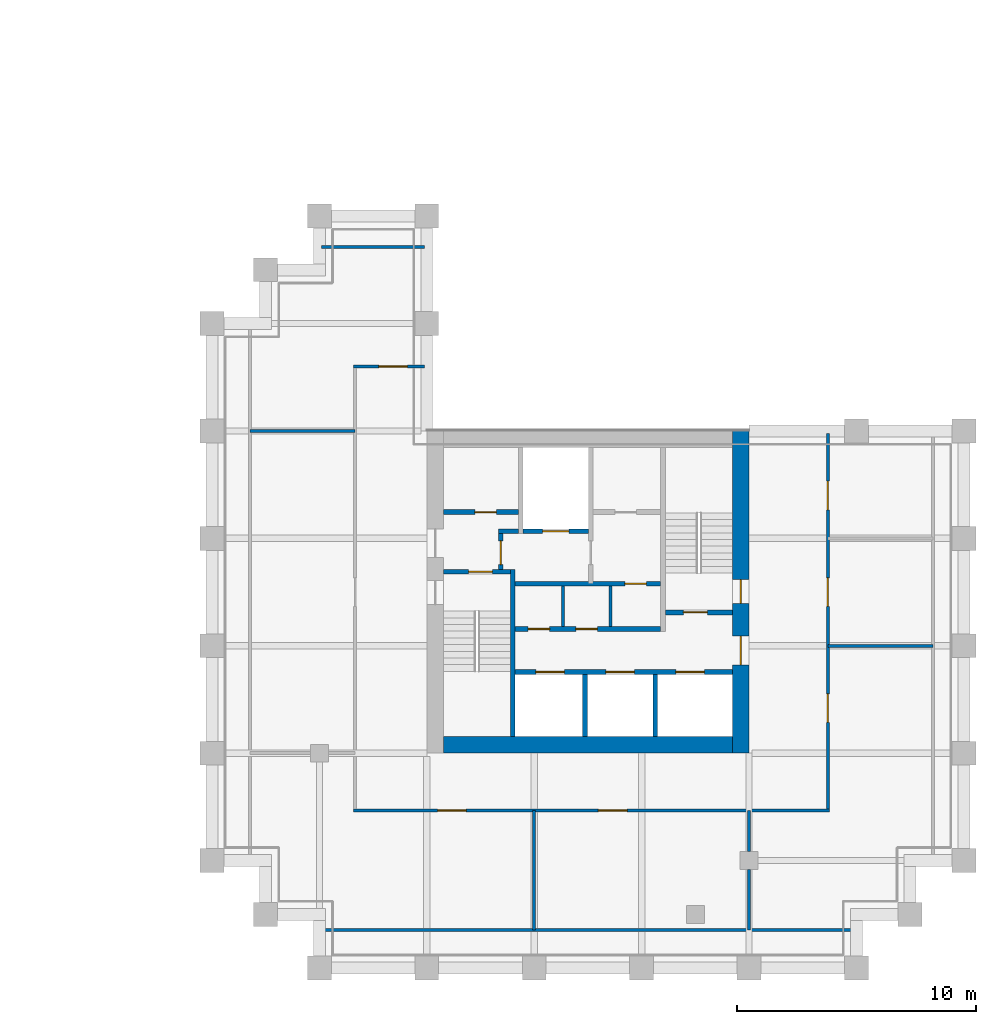
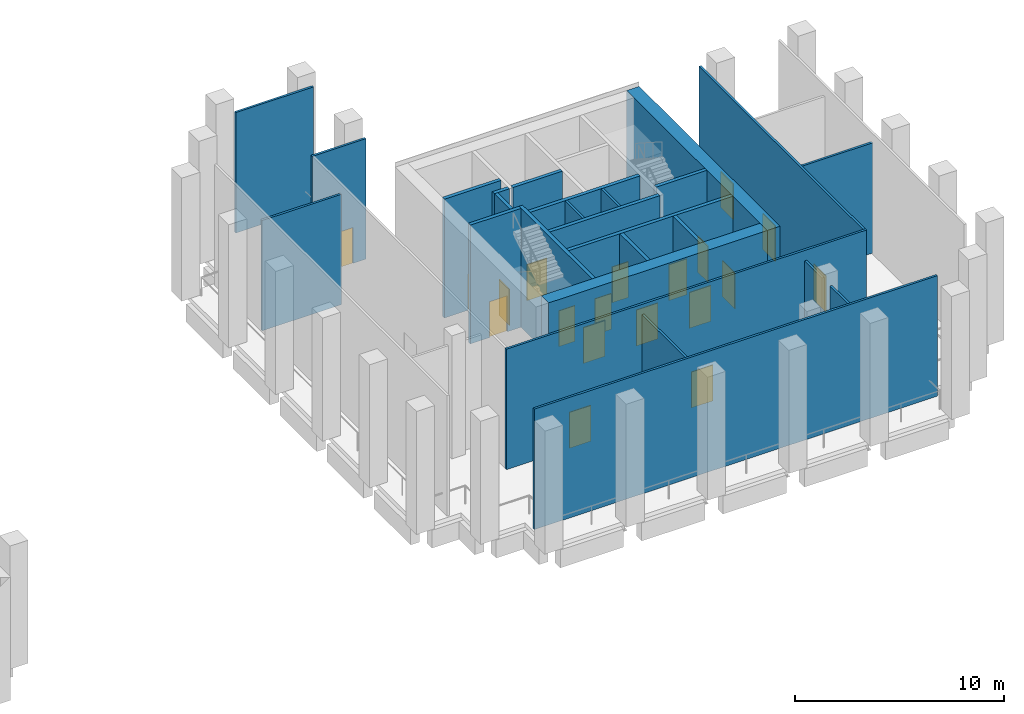
# One storey, part 5 of 9: 26 walls, 19 doors, 19 openings.
"""IFC4 building model written with IfcOpenShell, lengths in metres."""

from ifc_helpers import new_model, si_unit, direction, frame, frame_2d, origin, place, context, subcontext, project, spatial, rectangle, extrude, material, layer, layer_set, type_object, element, fill, save


model = new_model("IFC4")

# Units and contexts
model_context = context("Model", 3, precision=1e-05, world=origin(), true_north=direction((0.0, 1.0)))
body_context = subcontext(model_context, "Body", "Model", "MODEL_VIEW")
ifc_project = project(units=[si_unit("LENGTHUNIT", "METRE"), si_unit("AREAUNIT", "SQUARE_METRE"), si_unit("VOLUMEUNIT", "CUBIC_METRE"), si_unit("PLANEANGLEUNIT", "RADIAN"), si_unit("MASSUNIT", "GRAM", prefix="KILO")], contexts=[model_context])

# Site, building, storey
site_placement = place(None, origin())
site = spatial("IfcSite", under=ifc_project, at=site_placement, CompositionType="ELEMENT")
building_placement = place(site_placement, origin())
building = spatial("IfcBuilding", under=site, at=building_placement, Name="Altepetl Exchange Towers", CompositionType="ELEMENT")
storey_placement = place(building_placement, frame((0.0, 0.0, 113.60009765625)))
storey = spatial("IfcBuildingStorey", under=building, at=storey_placement, Name="L28 Wind floor plant", CompositionType="ELEMENT", Elevation=113.60009765625)

# Wall, openings, doors
ifc_material_1 = material(Name="Concrete C70/85", Category="concrete")
ifc_layer_1 = layer(ifc_material_1, 0.699951171875)
ifc_layer_set_1 = layer_set([ifc_layer_1], Name="Concrete C70/85")
wall_type_1 = type_object("IfcWallType", Name="Core wall 700 reinforced concrete", PredefinedType="SHEAR", material=ifc_layer_set_1)
wall_1_placement = place(storey_placement, frame((116.64990234375, 36.0, 0.0), z_axis=(0.0, 0.0, 1.0), x_axis=(0.0, 1.0, 0.0)))
wall_1 = element("IfcWall", 1, at=wall_1_placement, inside=storey, type_object=wall_type_1, Name="wall:B:L28:K-coreE", PredefinedType="SHEAR", context=body_context, shape_type="SweptSolid", body=[
    extrude(rectangle(XDim=13.5, YDim=0.699951171875, at=frame_2d((6.75, 0.0))), origin(), (0.0, 0.0, 1.0), 6.949951171875),
])
opening_1_placement = place(wall_1_placement, frame((3.699951171875, 0.0, 0.0)))
opening_1 = element("IfcOpeningElement", 2, at=opening_1_placement, cuts=wall_1, Name="Opening L28.B61", PredefinedType="OPENING", context=body_context, shape_type="SweptSolid", body=[
    extrude(rectangle(XDim=1.199951171875, YDim=2.10009765625, at=frame_2d((0.60009765625, 1.050048828125))), frame((0.0, 0.35986328125, 0.0), z_axis=(0.0, -1.0, 0.0), x_axis=(1.0, 0.0, 0.0)), (0.0, 0.0, 1.0), 0.719970703125),
])
opening_2_placement = place(wall_1_placement, frame((6.27490234375, 0.0, 0.0)))
opening_2 = element("IfcOpeningElement", 3, at=opening_2_placement, cuts=wall_1, Name="Opening L28.B65", PredefinedType="OPENING", context=body_context, shape_type="SweptSolid", body=[
    extrude(rectangle(XDim=1.0, YDim=2.10009765625, at=frame_2d((0.5, 1.050048828125))), frame((0.0, 0.35986328125, 0.0), z_axis=(0.0, -1.0, 0.0), x_axis=(1.0, 0.0, 0.0)), (0.0, 0.0, 1.0), 0.719970703125),
])
ifc_material_2 = material(Name="Steel and timber fire door", Category="steel")
door_type_1 = type_object("IfcDoorType", Name="Fire door 1000 x 2100 stair and lobby", OperationType="SINGLE_SWING_LEFT", PredefinedType="DOOR", material=ifc_material_2)
door_1_placement = place(opening_2_placement, origin())
door_1 = element("IfcDoor", 4, at=door_1_placement, inside=storey, type_object=door_type_1, Name="door:B:L28:K-dS2x", OperationType="SINGLE_SWING_LEFT", OverallHeight=2.10009765625, OverallWidth=1.0, PredefinedType="DOOR", context=body_context, shape_type="SweptSolid", body=[
    extrude(rectangle(XDim=1.0, YDim=2.10009765625, at=frame_2d((0.5, 1.050048828125))), frame((0.0, 0.02490234375, 0.0), z_axis=(0.0, -1.0, 0.0), x_axis=(1.0, 0.0, 0.0)), (0.0, 0.0, 1.0), 0.050048828125),
])
fill(opening_2, door_1)
door_type_2 = type_object("IfcDoorType", Name="Fire door 1200 x 2100 lobby entry", OperationType="SINGLE_SWING_LEFT", PredefinedType="DOOR", material=ifc_material_2)
door_2_placement = place(opening_1_placement, origin())
door_2 = element("IfcDoor", 5, at=door_2_placement, inside=storey, type_object=door_type_2, Name="door:B:L28:K-dLSE", OperationType="SINGLE_SWING_RIGHT", OverallHeight=2.10009765625, OverallWidth=1.199951171875, PredefinedType="DOOR", context=body_context, shape_type="SweptSolid", body=[
    extrude(rectangle(XDim=1.199951171875, YDim=2.10009765625, at=frame_2d((0.60009765625, 1.050048828125))), frame((0.0, 0.02490234375, 0.0), z_axis=(0.0, -1.0, 0.0), x_axis=(1.0, 0.0, 0.0)), (0.0, 0.0, 1.0), 0.050048828125),
])
fill(opening_1, door_2)

# Walls
wall_2_placement = place(storey_placement, frame((104.199951171875, 36.35009765625, 0.0)))
element("IfcWall", 6, at=wall_2_placement, inside=storey, type_object=wall_type_1, Name="wall:B:L28:K-coreS", PredefinedType="SHEAR", context=body_context, shape_type="SweptSolid", body=[
    extrude(rectangle(XDim=12.10009765625, YDim=0.699951171875, at=frame_2d((6.050048828125, 0.0))), origin(), (0.0, 0.0, 1.0), 6.949951171875),
])
ifc_material_3 = material(Name="Concrete blockwork", Category="masonry")
ifc_layer_2 = layer(ifc_material_3, 0.199951171875)
ifc_layer_set_2 = layer_set([ifc_layer_2], Name="Concrete blockwork")
wall_type_2 = type_object("IfcWallType", Name="Lobby wall 200 blockwork", PredefinedType="PARTITIONING", material=ifc_layer_set_2)
wall_3_placement = place(storey_placement, frame((106.5, 45.300048828125, 0.0)))
element("IfcWall", 7, at=wall_3_placement, inside=storey, type_object=wall_type_2, Name="wall:B:L28:K-ffNw", PredefinedType="PARTITIONING", context=body_context, shape_type="SweptSolid", body=[
    extrude(rectangle(XDim=0.833251953125, YDim=0.199951171875, at=frame_2d((0.41650390625, 0.0))), origin(), (0.0, 0.0, 1.0), 6.949951171875),
])

# Wall, opening, door
wall_4_placement = place(storey_placement, frame((106.60009765625, 43.699951171875, 0.0), z_axis=(0.0, 0.0, 1.0), x_axis=(0.0, 1.0, 0.0)))
wall_4 = element("IfcWall", 8, at=wall_4_placement, inside=storey, type_object=wall_type_2, Name="wall:B:L28:K-ffW", PredefinedType="PARTITIONING", context=body_context, shape_type="SweptSolid", body=[
    extrude(rectangle(XDim=1.5, YDim=0.199951171875, at=frame_2d((0.75, 0.0))), origin(), (0.0, 0.0, 1.0), 6.949951171875),
])
opening_3_placement = place(wall_4_placement, frame((0.199951171875, 0.0, 0.0)))
opening_3 = element("IfcOpeningElement", 9, at=opening_3_placement, cuts=wall_4, Name="Opening L28.B67", PredefinedType="OPENING", context=body_context, shape_type="SweptSolid", body=[
    extrude(rectangle(XDim=1.0, YDim=2.10009765625, at=frame_2d((0.5, 1.050048828125))), frame((0.0, 0.10986328125, 0.0), z_axis=(0.0, -1.0, 0.0), x_axis=(1.0, 0.0, 0.0)), (0.0, 0.0, 1.0), 0.219970703125),
])
door_3_placement = place(opening_3_placement, frame((1.0, 0.0, 0.0), x_axis=(-1.0, 0.0, 0.0)))
door_3 = element("IfcDoor", 10, at=door_3_placement, inside=storey, type_object=door_type_1, Name="door:B:L28:K-dffW", OperationType="SINGLE_SWING_LEFT", OverallHeight=2.10009765625, OverallWidth=1.0, PredefinedType="DOOR", context=body_context, shape_type="SweptSolid", body=[
    extrude(rectangle(XDim=1.0, YDim=2.10009765625, at=frame_2d((0.5, 1.050048828125))), frame((0.0, 0.02490234375, 0.0), z_axis=(0.0, -1.0, 0.0), x_axis=(1.0, 0.0, 0.0)), (0.0, 0.0, 1.0), 0.050048828125),
])
fill(opening_3, door_3)

wall_5_placement = place(storey_placement, frame((107.199951171875, 43.10009765625, 0.0)))
wall_5 = element("IfcWall", 11, at=wall_5_placement, inside=storey, type_object=wall_type_2, Name="wall:B:L28:K-zoneN", PredefinedType="PARTITIONING", context=body_context, shape_type="SweptSolid", body=[
    extrude(rectangle(XDim=6.10009765625, YDim=0.199951171875, at=frame_2d((3.050048828125, 0.0))), origin(), (0.0, 0.0, 1.0), 6.949951171875),
])
opening_4_placement = place(wall_5_placement, frame((4.60009765625, 0.0, 0.0)))
opening_4 = element("IfcOpeningElement", 12, at=opening_4_placement, cuts=wall_5, Name="Opening L28.B72", PredefinedType="OPENING", context=body_context, shape_type="SweptSolid", body=[
    extrude(rectangle(XDim=0.89990234375, YDim=2.10009765625, at=frame_2d((0.449951171875, 1.050048828125))), frame((0.0, 0.10986328125, 0.0), z_axis=(0.0, -1.0, 0.0), x_axis=(1.0, 0.0, 0.0)), (0.0, 0.0, 1.0), 0.219970703125),
])
door_type_3 = type_object("IfcDoorType", Name="Fire door 900 x 2100 service room", OperationType="SINGLE_SWING_LEFT", PredefinedType="DOOR", material=ifc_material_2)
door_4_placement = place(opening_4_placement, frame((0.89990234375, 0.0, 0.0), x_axis=(-1.0, 0.0, 0.0)))
door_4 = element("IfcDoor", 13, at=door_4_placement, inside=storey, type_object=door_type_3, Name="door:B:L28:K-dz3", OperationType="SINGLE_SWING_LEFT", OverallHeight=2.10009765625, OverallWidth=0.89990234375, PredefinedType="DOOR", context=body_context, shape_type="SweptSolid", body=[
    extrude(rectangle(XDim=0.89990234375, YDim=2.10009765625, at=frame_2d((0.449951171875, 1.050048828125))), frame((0.0, 0.02490234375, 0.0), z_axis=(0.0, -1.0, 0.0), x_axis=(1.0, 0.0, 0.0)), (0.0, 0.0, 1.0), 0.050048828125),
])
fill(opening_4, door_4)

# Wall, openings, doors
wall_6_placement = place(storey_placement, frame((107.199951171875, 41.199951171875, 0.0)))
wall_6 = element("IfcWall", 14, at=wall_6_placement, inside=storey, type_object=wall_type_2, Name="wall:B:L28:K-zoneS", PredefinedType="PARTITIONING", context=body_context, shape_type="SweptSolid", body=[
    extrude(rectangle(XDim=6.10009765625, YDim=0.199951171875, at=frame_2d((3.050048828125, 0.0))), origin(), (0.0, 0.0, 1.0), 6.949951171875),
])
opening_5_placement = place(wall_6_placement, frame((0.550048828125, 0.0, 0.0)))
opening_5 = element("IfcOpeningElement", 15, at=opening_5_placement, cuts=wall_6, Name="Opening L28.B70", PredefinedType="OPENING", context=body_context, shape_type="SweptSolid", body=[
    extrude(rectangle(XDim=0.89990234375, YDim=2.10009765625, at=frame_2d((0.449951171875, 1.050048828125))), frame((0.0, 0.10986328125, 0.0), z_axis=(0.0, -1.0, 0.0), x_axis=(1.0, 0.0, 0.0)), (0.0, 0.0, 1.0), 0.219970703125),
])
opening_6_placement = place(wall_6_placement, frame((2.550048828125, 0.0, 0.0)))
opening_6 = element("IfcOpeningElement", 16, at=opening_6_placement, cuts=wall_6, Name="Opening L28.B71", PredefinedType="OPENING", context=body_context, shape_type="SweptSolid", body=[
    extrude(rectangle(XDim=0.89990234375, YDim=2.10009765625, at=frame_2d((0.449951171875, 1.050048828125))), frame((0.0, 0.10986328125, 0.0), z_axis=(0.0, -1.0, 0.0), x_axis=(1.0, 0.0, 0.0)), (0.0, 0.0, 1.0), 0.219970703125),
])
door_5_placement = place(opening_5_placement, origin())
door_5 = element("IfcDoor", 17, at=door_5_placement, inside=storey, type_object=door_type_3, Name="door:B:L28:K-dz1", OperationType="SINGLE_SWING_RIGHT", OverallHeight=2.10009765625, OverallWidth=0.89990234375, PredefinedType="DOOR", context=body_context, shape_type="SweptSolid", body=[
    extrude(rectangle(XDim=0.89990234375, YDim=2.10009765625, at=frame_2d((0.449951171875, 1.050048828125))), frame((0.0, 0.02490234375, 0.0), z_axis=(0.0, -1.0, 0.0), x_axis=(1.0, 0.0, 0.0)), (0.0, 0.0, 1.0), 0.050048828125),
])
fill(opening_5, door_5)
door_6_placement = place(opening_6_placement, origin())
door_6 = element("IfcDoor", 18, at=door_6_placement, inside=storey, type_object=door_type_3, Name="door:B:L28:K-dz2", OperationType="SINGLE_SWING_LEFT", OverallHeight=2.10009765625, OverallWidth=0.89990234375, PredefinedType="DOOR", context=body_context, shape_type="SweptSolid", body=[
    extrude(rectangle(XDim=0.89990234375, YDim=2.10009765625, at=frame_2d((0.449951171875, 1.050048828125))), frame((0.0, 0.02490234375, 0.0), z_axis=(0.0, -1.0, 0.0), x_axis=(1.0, 0.0, 0.0)), (0.0, 0.0, 1.0), 0.050048828125),
])
fill(opening_6, door_6)

# Walls
ifc_material_4 = material(Name="Gypsum board on steel studs", Category="steel")
ifc_layer_3 = layer(ifc_material_4, 0.125)
ifc_layer_set_3 = layer_set([ifc_layer_3], Name="Gypsum board on steel studs")
wall_type_3 = type_object("IfcWallType", Name="Partition 125 gypsum board on steel studs", PredefinedType="PARTITIONING", material=ifc_layer_set_3)
for number, where, z_axis, x_axis, name in (
    (19, (109.199951171875, 41.300048828125, 0.0), (0.0, 0.0, 1.0), (0.0, 1.0, 0.0), "wall:B:L28:K-zp1"),
    (20, (111.199951171875, 41.300048828125, 0.0), (0.0, 0.0, 1.0), (0.0, 1.0, 0.0), "wall:B:L28:K-zp2"),
):
    element("IfcWall", number, at=place(storey_placement, frame(where, z_axis=z_axis, x_axis=x_axis)), inside=storey, type_object=wall_type_3, Name=name, PredefinedType="PARTITIONING", context=body_context, shape_type="SweptSolid", body=[
        extrude(rectangle(XDim=1.699951171875, YDim=0.125, at=frame_2d((0.85009765625, 0.0))), origin(), (0.0, 0.0, 1.0), 6.949951171875),
    ])
wall_7_placement = place(storey_placement, frame((99.10009765625, 28.60009765625, 0.0)))
element("IfcWall", 21, at=wall_7_placement, inside=storey, type_object=wall_type_3, Name="wall:B:L28:P01", PredefinedType="PARTITIONING", context=body_context, shape_type="SweptSolid", body=[
    extrude(rectangle(XDim=22.2998046875, YDim=0.125, at=frame_2d((11.14990234375, 0.0))), origin(), (0.0, 0.0, 1.0), 7.0498046875),
])

# Wall, openings, doors
wall_8_placement = place(storey_placement, frame((100.4375, 33.60009765625, 0.0)))
wall_8 = element("IfcWall", 22, at=wall_8_placement, inside=storey, type_object=wall_type_3, Name="wall:B:L28:P02", PredefinedType="PARTITIONING", context=body_context, shape_type="SweptSolid", body=[
    extrude(rectangle(XDim=19.925048828125, YDim=0.125, at=frame_2d((9.96240234375, 0.0))), origin(), (0.0, 0.0, 1.0), 7.0498046875),
])
opening_7_placement = place(wall_8_placement, frame((3.512451171875, 0.0, 0.0)))
opening_7 = element("IfcOpeningElement", 23, at=opening_7_placement, cuts=wall_8, Name="Opening L28.B01", PredefinedType="OPENING", context=body_context, shape_type="SweptSolid", body=[
    extrude(rectangle(XDim=1.199951171875, YDim=2.10009765625, at=frame_2d((0.60009765625, 1.050048828125))), frame((0.0, 0.072509765625, 0.0), z_axis=(0.0, -1.0, 0.0), x_axis=(1.0, 0.0, 0.0)), (0.0, 0.0, 1.0), 0.14501953125),
])
opening_8_placement = place(wall_8_placement, frame((10.255615234375, 0.0, 0.0)))
opening_8 = element("IfcOpeningElement", 24, at=opening_8_placement, cuts=wall_8, Name="Opening L28.B02", PredefinedType="OPENING", context=body_context, shape_type="SweptSolid", body=[
    extrude(rectangle(XDim=1.199951171875, YDim=2.10009765625, at=frame_2d((0.60009765625, 1.050048828125))), frame((0.0, 0.072509765625, 0.0), z_axis=(0.0, -1.0, 0.0), x_axis=(1.0, 0.0, 0.0)), (0.0, 0.0, 1.0), 0.14501953125),
])
door_type_4 = type_object("IfcDoorType", Name="Fire door 1200 x 2100 plant and refuge", OperationType="SINGLE_SWING_LEFT", PredefinedType="DOOR", material=ifc_material_2)
door_7_placement = place(opening_7_placement, frame((1.199951171875, 0.0, 0.0), x_axis=(-1.0, 0.0, 0.0)))
door_7 = element("IfcDoor", 25, at=door_7_placement, inside=storey, type_object=door_type_4, Name="door:B:L28:01", OperationType="SINGLE_SWING_LEFT", OverallHeight=2.10009765625, OverallWidth=1.199951171875, PredefinedType="DOOR", context=body_context, shape_type="SweptSolid", body=[
    extrude(rectangle(XDim=1.199951171875, YDim=2.10009765625, at=frame_2d((0.60009765625, 1.050048828125))), frame((0.0, 0.02490234375, 0.0), z_axis=(0.0, -1.0, 0.0), x_axis=(1.0, 0.0, 0.0)), (0.0, 0.0, 1.0), 0.050048828125),
])
fill(opening_7, door_7)
door_8_placement = place(opening_8_placement, frame((1.199951171875, 0.0, 0.0), x_axis=(-1.0, 0.0, 0.0)))
door_8 = element("IfcDoor", 26, at=door_8_placement, inside=storey, type_object=door_type_4, Name="door:B:L28:02", OperationType="SINGLE_SWING_RIGHT", OverallHeight=2.10009765625, OverallWidth=1.199951171875, PredefinedType="DOOR", context=body_context, shape_type="SweptSolid", body=[
    extrude(rectangle(XDim=1.199951171875, YDim=2.10009765625, at=frame_2d((0.60009765625, 1.050048828125))), frame((0.0, 0.02490234375, 0.0), z_axis=(0.0, -1.0, 0.0), x_axis=(1.0, 0.0, 0.0)), (0.0, 0.0, 1.0), 0.050048828125),
])
fill(opening_8, door_8)

# Walls
for number, where, name in (
    (27, (120.300048828125, 40.5, 0.0), "wall:B:L28:P05"),
    (28, (96.10009765625, 49.5, 0.0), "wall:B:L28:P07"),
):
    element("IfcWall", number, at=place(storey_placement, frame(where)), inside=storey, type_object=wall_type_3, Name=name, PredefinedType="PARTITIONING", context=body_context, shape_type="SweptSolid", body=[
        extrude(rectangle(XDim=4.39990234375, YDim=0.125, at=frame_2d((2.199951171875, 0.0))), origin(), (0.0, 0.0, 1.0), 6.450927734375),
    ])

# Wall, opening, door
wall_9_placement = place(storey_placement, frame((100.4375, 52.199951171875, 0.0)))
wall_9 = element("IfcWall", 29, at=wall_9_placement, inside=storey, type_object=wall_type_3, Name="wall:B:L28:P08", PredefinedType="PARTITIONING", context=body_context, shape_type="SweptSolid", body=[
    extrude(rectangle(XDim=2.96240234375, YDim=0.125, at=frame_2d((1.481201171875, 0.0))), origin(), (0.0, 0.0, 1.0), 7.0498046875),
])
opening_9_placement = place(wall_9_placement, frame((1.052490234375, 0.0, 0.0)))
opening_9 = element("IfcOpeningElement", 30, at=opening_9_placement, cuts=wall_9, Name="Opening L28.B06", PredefinedType="OPENING", context=body_context, shape_type="SweptSolid", body=[
    extrude(rectangle(XDim=1.199951171875, YDim=2.10009765625, at=frame_2d((0.60009765625, 1.050048828125))), frame((0.0, 0.072509765625, 0.0), z_axis=(0.0, -1.0, 0.0), x_axis=(1.0, 0.0, 0.0)), (0.0, 0.0, 1.0), 0.14501953125),
])
door_9_placement = place(opening_9_placement, origin())
door_9 = element("IfcDoor", 31, at=door_9_placement, inside=storey, type_object=door_type_4, Name="door:B:L28:06", OperationType="SINGLE_SWING_LEFT", OverallHeight=2.10009765625, OverallWidth=1.199951171875, PredefinedType="DOOR", context=body_context, shape_type="SweptSolid", body=[
    extrude(rectangle(XDim=1.199951171875, YDim=2.10009765625, at=frame_2d((0.60009765625, 1.050048828125))), frame((0.0, 0.02490234375, 0.0), z_axis=(0.0, -1.0, 0.0), x_axis=(1.0, 0.0, 0.0)), (0.0, 0.0, 1.0), 0.050048828125),
])
fill(opening_9, door_9)

# Walls
wall_10_placement = place(storey_placement, frame((99.10009765625, 57.199951171875, 0.0)))
element("IfcWall", 32, at=wall_10_placement, inside=storey, type_object=wall_type_3, Name="wall:B:L28:P09", PredefinedType="PARTITIONING", context=body_context, shape_type="SweptSolid", body=[
    extrude(rectangle(XDim=4.2998046875, YDim=0.125, at=frame_2d((2.14990234375, 0.0))), origin(), (0.0, 0.0, 1.0), 7.0498046875),
])
wall_11_placement = place(storey_placement, frame((108.0, 28.60009765625, 0.0), z_axis=(0.0, 0.0, 1.0), x_axis=(0.0, 1.0, 0.0)))
element("IfcWall", 33, at=wall_11_placement, inside=storey, type_object=wall_type_3, Name="wall:B:L28:P12", PredefinedType="PARTITIONING", context=body_context, shape_type="SweptSolid", body=[
    extrude(rectangle(XDim=5.0, YDim=0.125, at=frame_2d((2.5, 0.0))), origin(), (0.0, 0.0, 1.0), 6.450927734375),
])
wall_12_placement = place(storey_placement, frame((117.0, 28.60009765625, 0.0), z_axis=(0.0, 0.0, 1.0), x_axis=(0.0, 1.0, 0.0)))
element("IfcWall", 34, at=wall_12_placement, inside=storey, type_object=wall_type_3, Name="wall:B:L28:P13", PredefinedType="PARTITIONING", context=body_context, shape_type="SweptSolid", body=[
    extrude(rectangle(XDim=2.52490234375, YDim=0.125, at=frame_2d((1.262451171875, 0.0))), origin(), (0.0, 0.0, 1.0), 6.44189453125),
])
wall_13_placement = place(storey_placement, frame((117.0, 31.875, 0.0), z_axis=(0.0, 0.0, 1.0), x_axis=(0.0, 1.0, 0.0)))
element("IfcWall", 35, at=wall_13_placement, inside=storey, type_object=wall_type_3, Name="wall:B:L28:P14", PredefinedType="PARTITIONING", context=body_context, shape_type="SweptSolid", body=[
    extrude(rectangle(XDim=1.72509765625, YDim=0.125, at=frame_2d((0.862548828125, 0.0))), origin(), (0.0, 0.0, 1.0), 6.44189453125),
])

# Wall, openings, doors
wall_14_placement = place(storey_placement, frame((120.300048828125, 33.66259765625, 0.0), z_axis=(0.0, 0.0, 1.0), x_axis=(0.0, 1.0, 0.0)))
wall_14 = element("IfcWall", 36, at=wall_14_placement, inside=storey, type_object=wall_type_3, Name="wall:B:L28:P15", PredefinedType="PARTITIONING", context=body_context, shape_type="SweptSolid", body=[
    extrude(rectangle(XDim=15.7373046875, YDim=0.125, at=frame_2d((7.86865234375, 0.0))), origin(), (0.0, 0.0, 1.0), 7.0498046875),
])
opening_10_placement = place(wall_14_placement, frame((3.62744140625, 0.0, 0.0)))
opening_10 = element("IfcOpeningElement", 37, at=opening_10_placement, cuts=wall_14, Name="Opening L28.B03", PredefinedType="OPENING", context=body_context, shape_type="SweptSolid", body=[
    extrude(rectangle(XDim=1.199951171875, YDim=2.10009765625, at=frame_2d((0.60009765625, 1.050048828125))), frame((0.0, 0.072509765625, 0.0), z_axis=(0.0, -1.0, 0.0), x_axis=(1.0, 0.0, 0.0)), (0.0, 0.0, 1.0), 0.14501953125),
])
opening_11_placement = place(wall_14_placement, frame((8.487548828125, 0.0, 0.0)))
opening_11 = element("IfcOpeningElement", 38, at=opening_11_placement, cuts=wall_14, Name="Opening L28.B04", PredefinedType="OPENING", context=body_context, shape_type="SweptSolid", body=[
    extrude(rectangle(XDim=1.199951171875, YDim=2.10009765625, at=frame_2d((0.60009765625, 1.050048828125))), frame((0.0, 0.072509765625, 0.0), z_axis=(0.0, -1.0, 0.0), x_axis=(1.0, 0.0, 0.0)), (0.0, 0.0, 1.0), 0.14501953125),
])
opening_12_placement = place(wall_14_placement, frame((12.535400390625, 0.0, 0.0)))
opening_12 = element("IfcOpeningElement", 39, at=opening_12_placement, cuts=wall_14, Name="Opening L28.B05", PredefinedType="OPENING", context=body_context, shape_type="SweptSolid", body=[
    extrude(rectangle(XDim=1.199951171875, YDim=2.10009765625, at=frame_2d((0.60009765625, 1.050048828125))), frame((0.0, 0.072509765625, 0.0), z_axis=(0.0, -1.0, 0.0), x_axis=(1.0, 0.0, 0.0)), (0.0, 0.0, 1.0), 0.14501953125),
])
door_10_placement = place(opening_10_placement, frame((1.199951171875, 0.0, 0.0), x_axis=(-1.0, 0.0, 0.0)))
door_10 = element("IfcDoor", 40, at=door_10_placement, inside=storey, type_object=door_type_4, Name="door:B:L28:03", OperationType="SINGLE_SWING_LEFT", OverallHeight=2.10009765625, OverallWidth=1.199951171875, PredefinedType="DOOR", context=body_context, shape_type="SweptSolid", body=[
    extrude(rectangle(XDim=1.199951171875, YDim=2.10009765625, at=frame_2d((0.60009765625, 1.050048828125))), frame((0.0, 0.02490234375, 0.0), z_axis=(0.0, -1.0, 0.0), x_axis=(1.0, 0.0, 0.0)), (0.0, 0.0, 1.0), 0.050048828125),
])
fill(opening_10, door_10)
door_11_placement = place(opening_11_placement, frame((1.199951171875, 0.0, 0.0), x_axis=(-1.0, 0.0, 0.0)))
door_11 = element("IfcDoor", 41, at=door_11_placement, inside=storey, type_object=door_type_4, Name="door:B:L28:04", OperationType="SINGLE_SWING_RIGHT", OverallHeight=2.10009765625, OverallWidth=1.199951171875, PredefinedType="DOOR", context=body_context, shape_type="SweptSolid", body=[
    extrude(rectangle(XDim=1.199951171875, YDim=2.10009765625, at=frame_2d((0.60009765625, 1.050048828125))), frame((0.0, 0.02490234375, 0.0), z_axis=(0.0, -1.0, 0.0), x_axis=(1.0, 0.0, 0.0)), (0.0, 0.0, 1.0), 0.050048828125),
])
fill(opening_11, door_11)
door_12_placement = place(opening_12_placement, frame((1.199951171875, 0.0, 0.0), x_axis=(-1.0, 0.0, 0.0)))
door_12 = element("IfcDoor", 42, at=door_12_placement, inside=storey, type_object=door_type_4, Name="door:B:L28:05", OperationType="SINGLE_SWING_LEFT", OverallHeight=2.10009765625, OverallWidth=1.199951171875, PredefinedType="DOOR", context=body_context, shape_type="SweptSolid", body=[
    extrude(rectangle(XDim=1.199951171875, YDim=2.10009765625, at=frame_2d((0.60009765625, 1.050048828125))), frame((0.0, 0.02490234375, 0.0), z_axis=(0.0, -1.0, 0.0), x_axis=(1.0, 0.0, 0.0)), (0.0, 0.0, 1.0), 0.050048828125),
])
fill(opening_12, door_12)

# Walls
ifc_material_5 = material(Name="Concrete C40/50", Category="concrete")
ifc_layer_4 = layer(ifc_material_5, 0.199951171875)
ifc_layer_set_4 = layer_set([ifc_layer_4], Name="Concrete C40/50")
wall_type_4 = type_object("IfcWallType", Name="Shaft wall 200 reinforced concrete", PredefinedType="SHEAR", material=ifc_layer_set_4)
for number, where, z_axis, x_axis, name in (
    (43, (110.13330078125, 36.699951171875, 0.0), (0.0, 0.0, 1.0), (0.0, 1.0, 0.0), "wall:B:L28:K-divS1"),
    (44, (113.066650390625, 36.699951171875, 0.0), (0.0, 0.0, 1.0), (0.0, 1.0, 0.0), "wall:B:L28:K-divS2"),
):
    element("IfcWall", number, at=place(storey_placement, frame(where, z_axis=z_axis, x_axis=x_axis)), inside=storey, type_object=wall_type_4, Name=name, PredefinedType="SHEAR", context=body_context, shape_type="SweptSolid", body=[
        extrude(rectangle(XDim=2.60009765625, YDim=0.199951171875, at=frame_2d((1.300048828125, 0.0))), origin(), (0.0, 0.0, 1.0), 6.949951171875),
    ])

# Wall, opening, door
wall_15_placement = place(storey_placement, frame((104.199951171875, 46.10009765625, 0.0)))
wall_15 = element("IfcWall", 45, at=wall_15_placement, inside=storey, type_object=wall_type_4, Name="wall:B:L28:K-frontNa", PredefinedType="SHEAR", context=body_context, shape_type="SweptSolid", body=[
    extrude(rectangle(XDim=3.13330078125, YDim=0.199951171875, at=frame_2d((1.566650390625, 0.0))), origin(), (0.0, 0.0, 1.0), 6.949951171875),
])
opening_13_placement = place(wall_15_placement, frame((1.316650390625, 0.0, 0.0)))
opening_13 = element("IfcOpeningElement", 46, at=opening_13_placement, cuts=wall_15, Name="Opening L28.B68", PredefinedType="OPENING", context=body_context, shape_type="SweptSolid", body=[
    extrude(rectangle(XDim=0.89990234375, YDim=2.10009765625, at=frame_2d((0.449951171875, 1.050048828125))), frame((0.0, 0.10986328125, 0.0), z_axis=(0.0, -1.0, 0.0), x_axis=(1.0, 0.0, 0.0)), (0.0, 0.0, 1.0), 0.219970703125),
])
door_13_placement = place(opening_13_placement, origin())
door_13 = element("IfcDoor", 47, at=door_13_placement, inside=storey, type_object=door_type_3, Name="door:B:L28:K-dslotN0", OperationType="SINGLE_SWING_RIGHT", OverallHeight=2.10009765625, OverallWidth=0.89990234375, PredefinedType="DOOR", context=body_context, shape_type="SweptSolid", body=[
    extrude(rectangle(XDim=0.89990234375, YDim=2.10009765625, at=frame_2d((0.449951171875, 1.050048828125))), frame((0.0, 0.02490234375, 0.0), z_axis=(0.0, -1.0, 0.0), x_axis=(1.0, 0.0, 0.0)), (0.0, 0.0, 1.0), 0.050048828125),
])
fill(opening_13, door_13)

wall_16_placement = place(storey_placement, frame((107.533203125, 45.300048828125, 0.0)))
wall_16 = element("IfcWall", 48, at=wall_16_placement, inside=storey, type_object=wall_type_4, Name="wall:B:L28:K-frontNd", PredefinedType="SHEAR", context=body_context, shape_type="SweptSolid", body=[
    extrude(rectangle(XDim=2.7333984375, YDim=0.199951171875, at=frame_2d((1.36669921875, 0.0))), origin(), (0.0, 0.0, 1.0), 6.949951171875),
])
opening_14_placement = place(wall_16_placement, frame((0.816650390625, 0.0, 0.0)))
opening_14 = element("IfcOpeningElement", 49, at=opening_14_placement, cuts=wall_16, Name="Opening L28.B73", PredefinedType="OPENING", context=body_context, shape_type="SweptSolid", body=[
    extrude(rectangle(XDim=1.10009765625, YDim=2.10009765625, at=frame_2d((0.550048828125, 1.050048828125))), frame((0.0, 0.10986328125, 0.0), z_axis=(0.0, -1.0, 0.0), x_axis=(1.0, 0.0, 0.0)), (0.0, 0.0, 1.0), 0.219970703125),
])
ifc_material_6 = material(Name="Stainless steel", Category="steel")
door_type_5 = type_object("IfcDoorType", Name="Lift landing door 1100 x 2100", OperationType="SLIDING_TO_LEFT", PredefinedType="DOOR", material=ifc_material_6)
door_14_placement = place(opening_14_placement, origin())
door_14 = element("IfcDoor", 50, at=door_14_placement, inside=storey, type_object=door_type_5, Name="Landing door FFL1", OperationType="SLIDING_TO_LEFT", OverallHeight=2.10009765625, OverallWidth=1.10009765625, PredefinedType="DOOR", context=body_context, shape_type="SweptSolid", body=[
    extrude(rectangle(XDim=1.10009765625, YDim=2.10009765625, at=frame_2d((0.550048828125, 1.050048828125))), frame((0.0, 0.02490234375, 0.0), z_axis=(0.0, -1.0, 0.0), x_axis=(1.0, 0.0, 0.0)), (0.0, 0.0, 1.0), 0.050048828125),
])
fill(opening_14, door_14)

# Wall, openings, doors
wall_17_placement = place(storey_placement, frame((107.199951171875, 39.39990234375, 0.0)))
wall_17 = element("IfcWall", 51, at=wall_17_placement, inside=storey, type_object=wall_type_4, Name="wall:B:L28:K-frontS", PredefinedType="SHEAR", context=body_context, shape_type="SweptSolid", body=[
    extrude(rectangle(XDim=9.10009765625, YDim=0.199951171875, at=frame_2d((4.550048828125, 0.0))), origin(), (0.0, 0.0, 1.0), 6.949951171875),
])
opening_15_placement = place(wall_17_placement, frame((0.86669921875, 0.0, 0.0)))
opening_15 = element("IfcOpeningElement", 52, at=opening_15_placement, cuts=wall_17, Name="Opening L28.B74", PredefinedType="OPENING", context=body_context, shape_type="SweptSolid", body=[
    extrude(rectangle(XDim=1.199951171875, YDim=2.10009765625, at=frame_2d((0.60009765625, 1.050048828125))), frame((0.0, 0.10986328125, 0.0), z_axis=(0.0, -1.0, 0.0), x_axis=(1.0, 0.0, 0.0)), (0.0, 0.0, 1.0), 0.219970703125),
])
opening_16_placement = place(wall_17_placement, frame((3.800048828125, 0.0, 0.0)))
opening_16 = element("IfcOpeningElement", 53, at=opening_16_placement, cuts=wall_17, Name="Opening L28.B75", PredefinedType="OPENING", context=body_context, shape_type="SweptSolid", body=[
    extrude(rectangle(XDim=1.199951171875, YDim=2.10009765625, at=frame_2d((0.60009765625, 1.050048828125))), frame((0.0, 0.10986328125, 0.0), z_axis=(0.0, -1.0, 0.0), x_axis=(1.0, 0.0, 0.0)), (0.0, 0.0, 1.0), 0.219970703125),
])
opening_17_placement = place(wall_17_placement, frame((6.7333984375, 0.0, 0.0)))
opening_17 = element("IfcOpeningElement", 54, at=opening_17_placement, cuts=wall_17, Name="Opening L28.B76", PredefinedType="OPENING", context=body_context, shape_type="SweptSolid", body=[
    extrude(rectangle(XDim=1.199951171875, YDim=2.10009765625, at=frame_2d((0.60009765625, 1.050048828125))), frame((0.0, 0.10986328125, 0.0), z_axis=(0.0, -1.0, 0.0), x_axis=(1.0, 0.0, 0.0)), (0.0, 0.0, 1.0), 0.219970703125),
])
door_type_6 = type_object("IfcDoorType", Name="Lift landing door 1200 x 2100", OperationType="SLIDING_TO_LEFT", PredefinedType="DOOR", material=ifc_material_6)
door_15_placement = place(opening_15_placement, origin())
door_15 = element("IfcDoor", 55, at=door_15_placement, inside=storey, type_object=door_type_6, Name="Landing door P1", OperationType="SLIDING_TO_LEFT", OverallHeight=2.10009765625, OverallWidth=1.199951171875, PredefinedType="DOOR", context=body_context, shape_type="SweptSolid", body=[
    extrude(rectangle(XDim=1.199951171875, YDim=2.10009765625, at=frame_2d((0.60009765625, 1.050048828125))), frame((0.0, 0.02490234375, 0.0), z_axis=(0.0, -1.0, 0.0), x_axis=(1.0, 0.0, 0.0)), (0.0, 0.0, 1.0), 0.050048828125),
])
fill(opening_15, door_15)
door_16_placement = place(opening_16_placement, origin())
door_16 = element("IfcDoor", 56, at=door_16_placement, inside=storey, type_object=door_type_6, Name="Landing door P2", OperationType="SLIDING_TO_LEFT", OverallHeight=2.10009765625, OverallWidth=1.199951171875, PredefinedType="DOOR", context=body_context, shape_type="SweptSolid", body=[
    extrude(rectangle(XDim=1.199951171875, YDim=2.10009765625, at=frame_2d((0.60009765625, 1.050048828125))), frame((0.0, 0.02490234375, 0.0), z_axis=(0.0, -1.0, 0.0), x_axis=(1.0, 0.0, 0.0)), (0.0, 0.0, 1.0), 0.050048828125),
])
fill(opening_16, door_16)
door_17_placement = place(opening_17_placement, origin())
door_17 = element("IfcDoor", 57, at=door_17_placement, inside=storey, type_object=door_type_6, Name="Landing door P3", OperationType="SLIDING_TO_LEFT", OverallHeight=2.10009765625, OverallWidth=1.199951171875, PredefinedType="DOOR", context=body_context, shape_type="SweptSolid", body=[
    extrude(rectangle(XDim=1.199951171875, YDim=2.10009765625, at=frame_2d((0.60009765625, 1.050048828125))), frame((0.0, 0.02490234375, 0.0), z_axis=(0.0, -1.0, 0.0), x_axis=(1.0, 0.0, 0.0)), (0.0, 0.0, 1.0), 0.050048828125),
])
fill(opening_17, door_17)

# Wall
ifc_layer_5 = layer(ifc_material_5, 0.199951171875)
ifc_layer_set_5 = layer_set([ifc_layer_5], Name="Concrete C40/50")
wall_type_5 = type_object("IfcWallType", Name="Stair wall 200 reinforced concrete", PredefinedType="SHEAR", material=ifc_layer_set_5)
wall_18_placement = place(storey_placement, frame((107.10009765625, 36.699951171875, 0.0), z_axis=(0.0, 0.0, 1.0), x_axis=(0.0, 1.0, 0.0)))
element("IfcWall", 58, at=wall_18_placement, inside=storey, type_object=wall_type_5, Name="wall:B:L28:K-stS1E", PredefinedType="SHEAR", context=body_context, shape_type="SweptSolid", body=[
    extrude(rectangle(XDim=7.0, YDim=0.199951171875, at=frame_2d((3.5, 0.0))), origin(), (0.0, 0.0, 1.0), 6.949951171875),
])

# Wall, opening, door
wall_19_placement = place(storey_placement, frame((104.199951171875, 43.60009765625, 0.0)))
wall_19 = element("IfcWall", 59, at=wall_19_placement, inside=storey, type_object=wall_type_5, Name="wall:B:L28:K-stS1N", PredefinedType="SHEAR", context=body_context, shape_type="SweptSolid", body=[
    extrude(rectangle(XDim=2.800048828125, YDim=0.199951171875, at=frame_2d((1.39990234375, 0.0))), origin(), (0.0, 0.0, 1.0), 6.949951171875),
])
opening_18_placement = place(wall_19_placement, frame((1.050048828125, 0.0, 0.0)))
opening_18 = element("IfcOpeningElement", 60, at=opening_18_placement, cuts=wall_19, Name="Opening L28.B62", PredefinedType="OPENING", context=body_context, shape_type="SweptSolid", body=[
    extrude(rectangle(XDim=1.0, YDim=2.10009765625, at=frame_2d((0.5, 1.050048828125))), frame((0.0, 0.10986328125, 0.0), z_axis=(0.0, -1.0, 0.0), x_axis=(1.0, 0.0, 0.0)), (0.0, 0.0, 1.0), 0.219970703125),
])
door_18_placement = place(opening_18_placement, frame((1.0, 0.0, 0.0), x_axis=(-1.0, 0.0, 0.0)))
door_18 = element("IfcDoor", 61, at=door_18_placement, inside=storey, type_object=door_type_1, Name="door:B:L28:K-dS1in", OperationType="SINGLE_SWING_LEFT", OverallHeight=2.10009765625, OverallWidth=1.0, PredefinedType="DOOR", context=body_context, shape_type="SweptSolid", body=[
    extrude(rectangle(XDim=1.0, YDim=2.10009765625, at=frame_2d((0.5, 1.050048828125))), frame((0.0, 0.02490234375, 0.0), z_axis=(0.0, -1.0, 0.0), x_axis=(1.0, 0.0, 0.0)), (0.0, 0.0, 1.0), 0.050048828125),
])
fill(opening_18, door_18)

wall_20_placement = place(storey_placement, frame((113.5, 41.89990234375, 0.0)))
wall_20 = element("IfcWall", 62, at=wall_20_placement, inside=storey, type_object=wall_type_5, Name="wall:B:L28:K-stS2S", PredefinedType="SHEAR", context=body_context, shape_type="SweptSolid", body=[
    extrude(rectangle(XDim=2.800048828125, YDim=0.199951171875, at=frame_2d((1.39990234375, 0.0))), origin(), (0.0, 0.0, 1.0), 6.949951171875),
])
opening_19_placement = place(wall_20_placement, frame((0.75, 0.0, 0.0)))
opening_19 = element("IfcOpeningElement", 63, at=opening_19_placement, cuts=wall_20, Name="Opening L28.B64", PredefinedType="OPENING", context=body_context, shape_type="SweptSolid", body=[
    extrude(rectangle(XDim=1.0, YDim=2.10009765625, at=frame_2d((0.5, 1.050048828125))), frame((0.0, 0.10986328125, 0.0), z_axis=(0.0, -1.0, 0.0), x_axis=(1.0, 0.0, 0.0)), (0.0, 0.0, 1.0), 0.219970703125),
])
door_19_placement = place(opening_19_placement, origin())
door_19 = element("IfcDoor", 64, at=door_19_placement, inside=storey, type_object=door_type_1, Name="door:B:L28:K-dS2in", OperationType="SINGLE_SWING_RIGHT", OverallHeight=2.10009765625, OverallWidth=1.0, PredefinedType="DOOR", context=body_context, shape_type="SweptSolid", body=[
    extrude(rectangle(XDim=1.0, YDim=2.10009765625, at=frame_2d((0.5, 1.050048828125))), frame((0.0, 0.02490234375, 0.0), z_axis=(0.0, -1.0, 0.0), x_axis=(1.0, 0.0, 0.0)), (0.0, 0.0, 1.0), 0.050048828125),
])
fill(opening_19, door_19)

save(model, "model.ifc")
